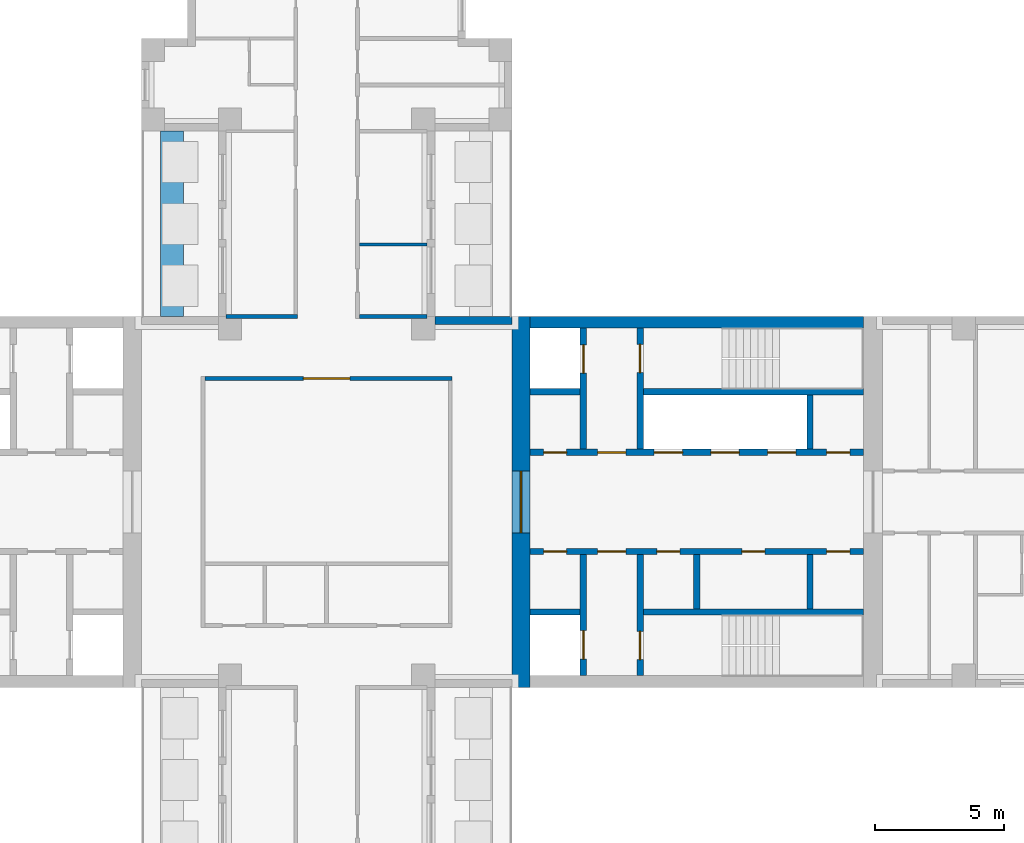
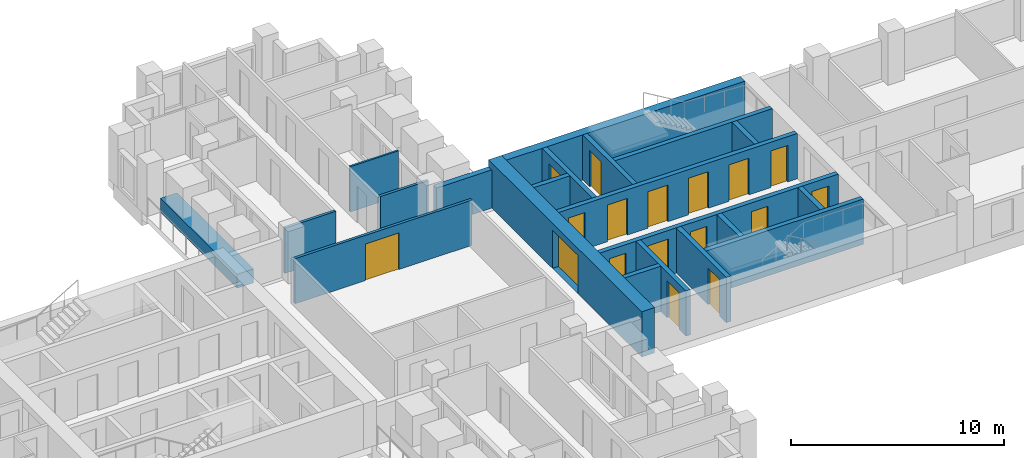
# One storey, part 6 of 11: 21 walls, 17 doors, 17 openings.
"""IFC4 building model written with IfcOpenShell, lengths in metres."""

from ifc_helpers import new_model, si_unit, direction, frame, frame_2d, origin, place, context, subcontext, project, spatial, rectangle, extrude, material, layer, layer_set, type_object, element, fill, save


model = new_model("IFC4")

# Units and contexts
model_context = context("Model", 3, precision=1e-05, world=origin(), true_north=direction((0.0, 1.0)))
body_context = subcontext(model_context, "Body", "Model", "MODEL_VIEW")
ifc_project = project(units=[si_unit("LENGTHUNIT", "METRE"), si_unit("AREAUNIT", "SQUARE_METRE"), si_unit("VOLUMEUNIT", "CUBIC_METRE"), si_unit("PLANEANGLEUNIT", "RADIAN"), si_unit("MASSUNIT", "GRAM", prefix="KILO")], contexts=[model_context])

# Site, building, storey
site_placement = place(None, origin())
site = spatial("IfcSite", under=ifc_project, at=site_placement, CompositionType="ELEMENT")
building_placement = place(site_placement, origin())
building = spatial("IfcBuilding", under=site, at=building_placement, Name="Fustian Cross Tower", CompositionType="ELEMENT")
storey_placement = place(building_placement, frame((0.0, 0.0, 126.300048828125)))
storey = spatial("IfcBuildingStorey", under=building, at=storey_placement, Name="L39", CompositionType="ELEMENT", Elevation=126.300048828125)

# Wall, opening, door
ifc_material_1 = material(Name="Plasterboard on steel stud", Category="steel")
ifc_layer_1 = layer(ifc_material_1, 0.14990234375)
ifc_layer_set_1 = layer_set([ifc_layer_1], Name="Plasterboard on steel stud")
wall_type_1 = type_object("IfcWallType", Name="COMPARTMENT WALL 150 EI 60", PredefinedType="PARTITIONING", material=ifc_layer_set_1)
wall_1_placement = place(storey_placement, frame((-4.72509765625, 4.800048828125, 0.0), z_axis=(0.0, 0.0, 1.0), x_axis=(1.0, 0.0, 0.0)))
wall_1 = element("IfcWall", 1, at=wall_1_placement, inside=storey, type_object=wall_type_1, Name="Partition 20", PredefinedType="PARTITIONING", context=body_context, shape_type="SweptSolid", body=[
    extrude(rectangle(XDim=9.60009765625, YDim=0.14990234375, at=frame_2d((4.800048828125, 0.0))), origin(), (0.0, 0.0, 1.0), 2.599853515625),
])
opening_1_placement = place(wall_1_placement, frame((3.824951171875, 0.0, 0.0)))
opening_1 = element("IfcOpeningElement", 2, at=opening_1_placement, cuts=wall_1, Name="Opening D18004", PredefinedType="OPENING", context=body_context, shape_type="SweptSolid", body=[
    extrude(rectangle(XDim=1.800048828125, YDim=2.10009765625, at=frame_2d((0.89990234375, 1.050048828125))), frame((0.0, 0.0849609375, 0.0), z_axis=(0.0, -1.0, 0.0), x_axis=(1.0, 0.0, 0.0)), (0.0, 0.0, 1.0), 0.169921875),
])
ifc_material_2 = material(Name="Timber fire door set", Category="wood")
door_type_1 = type_object("IfcDoorType", Name="FIRE DOUBLE DOOR 1800 FD30S", OperationType="DOUBLE_DOOR_DOUBLE_SWING", PredefinedType="DOOR", material=ifc_material_2)
door_1_placement = place(opening_1_placement, origin())
door_1 = element("IfcDoor", 3, at=door_1_placement, inside=storey, type_object=door_type_1, Name="Door D18004", OperationType="DOUBLE_DOOR_DOUBLE_SWING", OverallHeight=2.10009765625, OverallWidth=1.800048828125, PredefinedType="DOOR", context=body_context, shape_type="SweptSolid", body=[
    extrude(rectangle(XDim=1.800048828125, YDim=2.10009765625, at=frame_2d((0.89990234375, 1.050048828125))), frame((0.0, 0.02490234375, 0.0), z_axis=(0.0, -1.0, 0.0), x_axis=(1.0, 0.0, 0.0)), (0.0, 0.0, 1.0), 0.050048828125),
])
fill(opening_1, door_1)

# Walls
wall_2_placement = place(storey_placement, frame((-3.89990234375, 7.199951171875, 0.0), z_axis=(0.0, 0.0, 1.0), x_axis=(1.0, 0.0, 0.0)))
element("IfcWall", 4, at=wall_2_placement, inside=storey, type_object=wall_type_1, Name="Partition 23", PredefinedType="PARTITIONING", context=body_context, shape_type="SweptSolid", body=[
    extrude(rectangle(XDim=2.77490234375, YDim=0.14990234375, at=frame_2d((1.387451171875, 0.0))), origin(), (0.0, 0.0, 1.0), 2.599853515625),
])
wall_3_placement = place(storey_placement, frame((1.27490234375, 7.199951171875, 0.0), z_axis=(0.0, 0.0, 1.0), x_axis=(1.0, 0.0, 0.0)))
element("IfcWall", 5, at=wall_3_placement, inside=storey, type_object=wall_type_1, Name="Partition 43", PredefinedType="PARTITIONING", context=body_context, shape_type="SweptSolid", body=[
    extrude(rectangle(XDim=2.625, YDim=0.14990234375, at=frame_2d((1.3125, 0.0))), origin(), (0.0, 0.0, 1.0), 2.599853515625),
])

# Wall, opening, door
ifc_material_3 = material(Name="Concrete C60/75", Category="concrete")
ifc_layer_2 = layer(ifc_material_3, 0.699951171875)
ifc_layer_set_2 = layer_set([ifc_layer_2], Name="Concrete C60/75")
wall_type_2 = type_object("IfcWallType", Name="CORE END WALL 700 C60/75", PredefinedType="SHEAR", material=ifc_layer_set_2)
wall_4_placement = place(storey_placement, frame((7.550048828125, -7.199951171875, 0.0), z_axis=(0.0, 0.0, 1.0), x_axis=(0.0, 1.0, 0.0)))
wall_4 = element("IfcWall", 6, at=wall_4_placement, inside=storey, type_object=wall_type_2, Name="Core end wall", PredefinedType="SHEAR", context=body_context, shape_type="SweptSolid", body=[
    extrude(rectangle(XDim=14.39990234375, YDim=0.699951171875, at=frame_2d((7.199951171875, 0.0))), origin(), (0.0, 0.0, 1.0), 2.599853515625),
])
opening_2_placement = place(wall_4_placement, frame((6.0, 0.0, 0.0)))
opening_2 = element("IfcOpeningElement", 7, at=opening_2_placement, cuts=wall_4, Name="Opening CD-16-12", PredefinedType="OPENING", context=body_context, shape_type="SweptSolid", body=[
    extrude(rectangle(XDim=2.39990234375, YDim=2.199951171875, at=frame_2d((1.199951171875, 1.10009765625))), frame((0.0, 0.35986328125, 0.0), z_axis=(0.0, -1.0, 0.0), x_axis=(1.0, 0.0, 0.0)), (0.0, 0.0, 1.0), 0.719970703125),
])
ifc_material_4 = material(Name="Steel", Category="steel")
door_type_2 = type_object("IfcDoorType", Name="FIRE DOOR FD30S DOUBLE 2400X2200", OperationType="DOUBLE_DOOR_DOUBLE_SWING", PredefinedType="DOOR", material=ifc_material_4)
door_2_placement = place(opening_2_placement, origin())
door_2 = element("IfcDoor", 8, at=door_2_placement, inside=storey, type_object=door_type_2, Name="Core door CD-16-12", OperationType="DOUBLE_DOOR_DOUBLE_SWING", OverallHeight=2.199951171875, OverallWidth=2.39990234375, PredefinedType="DOOR", context=body_context, shape_type="SweptSolid", body=[
    extrude(rectangle(XDim=2.39990234375, YDim=2.199951171875, at=frame_2d((1.199951171875, 1.10009765625))), frame((0.0, 0.02490234375, 0.0), z_axis=(0.0, -1.0, 0.0), x_axis=(1.0, 0.0, 0.0)), (0.0, 0.0, 1.0), 0.050048828125),
])
fill(opening_2, door_2)

# Wall
ifc_material_5 = material(Name="Concrete C60/75", Category="concrete")
ifc_layer_3 = layer(ifc_material_5, 0.449951171875)
ifc_layer_set_3 = layer_set([ifc_layer_3], Name="Concrete C60/75")
wall_type_3 = type_object("IfcWallType", Name="CORE FACADE WALL 450 C60/75", PredefinedType="SHEAR", material=ifc_layer_set_3)
wall_5_placement = place(storey_placement, frame((7.89990234375, 6.97509765625, 0.0), z_axis=(0.0, 0.0, 1.0), x_axis=(1.0, 0.0, 0.0)))
element("IfcWall", 9, at=wall_5_placement, inside=storey, type_object=wall_type_3, Name="Core facade wall", PredefinedType="SHEAR", context=body_context, shape_type="SweptSolid", body=[
    extrude(rectangle(XDim=12.9501953125, YDim=0.449951171875, at=frame_2d((6.47509765625, 0.0))), origin(), (0.0, 0.0, 1.0), 2.599853515625),
])

# Wall, openings, doors
ifc_material_6 = material(Name="Concrete C50/60", Category="concrete")
ifc_layer_4 = layer(ifc_material_6, 0.25)
ifc_layer_set_4 = layer_set([ifc_layer_4], Name="Concrete C50/60")
wall_type_4 = type_object("IfcWallType", Name="CORE LOBBY WALL 250 C50/60", PredefinedType="SHEAR", material=ifc_layer_set_4)
wall_6_placement = place(storey_placement, frame((7.89990234375, 1.925048828125, 0.0), z_axis=(0.0, 0.0, 1.0), x_axis=(1.0, 0.0, 0.0)))
wall_6 = element("IfcWall", 10, at=wall_6_placement, inside=storey, type_object=wall_type_4, Name="Core lobby wall", PredefinedType="SHEAR", context=body_context, shape_type="SweptSolid", body=[
    extrude(rectangle(XDim=12.9501953125, YDim=0.25, at=frame_2d((6.47509765625, 0.0))), origin(), (0.0, 0.0, 1.0), 2.599853515625),
])
opening_3_placement = place(wall_6_placement, frame((4.824951171875, 0.0, 0.0)))
opening_3 = element("IfcOpeningElement", 11, at=opening_3_placement, cuts=wall_6, Name="Opening LD", PredefinedType="OPENING", context=body_context, shape_type="SweptSolid", body=[
    extrude(rectangle(XDim=1.10009765625, YDim=2.10009765625, at=frame_2d((0.550048828125, 1.050048828125))), frame((0.0, 0.135009765625, 0.0), z_axis=(0.0, -1.0, 0.0), x_axis=(1.0, 0.0, 0.0)), (0.0, 0.0, 1.0), 0.27001953125),
])
opening_4_placement = place(wall_6_placement, frame((7.02490234375, 0.0, 0.0)))
opening_4 = element("IfcOpeningElement", 12, at=opening_4_placement, cuts=wall_6, Name="Opening LD", PredefinedType="OPENING", context=body_context, shape_type="SweptSolid", body=[
    extrude(rectangle(XDim=1.10009765625, YDim=2.10009765625, at=frame_2d((0.550048828125, 1.050048828125))), frame((0.0, 0.135009765625, 0.0), z_axis=(0.0, -1.0, 0.0), x_axis=(1.0, 0.0, 0.0)), (0.0, 0.0, 1.0), 0.27001953125),
])
opening_5_placement = place(wall_6_placement, frame((9.22509765625, 0.0, 0.0)))
opening_5 = element("IfcOpeningElement", 13, at=opening_5_placement, cuts=wall_6, Name="Opening LD", PredefinedType="OPENING", context=body_context, shape_type="SweptSolid", body=[
    extrude(rectangle(XDim=1.10009765625, YDim=2.10009765625, at=frame_2d((0.550048828125, 1.050048828125))), frame((0.0, 0.135009765625, 0.0), z_axis=(0.0, -1.0, 0.0), x_axis=(1.0, 0.0, 0.0)), (0.0, 0.0, 1.0), 0.27001953125),
])
opening_6_placement = place(wall_6_placement, frame((0.52490234375, 0.0, 0.0)))
opening_6 = element("IfcOpeningElement", 14, at=opening_6_placement, cuts=wall_6, Name="Opening CD-16-08", PredefinedType="OPENING", context=body_context, shape_type="SweptSolid", body=[
    extrude(rectangle(XDim=0.89990234375, YDim=2.10009765625, at=frame_2d((0.449951171875, 1.050048828125))), frame((0.0, 0.135009765625, 0.0), z_axis=(0.0, -1.0, 0.0), x_axis=(1.0, 0.0, 0.0)), (0.0, 0.0, 1.0), 0.27001953125),
])
opening_7_placement = place(wall_6_placement, frame((2.625, 0.0, 0.0)))
opening_7 = element("IfcOpeningElement", 15, at=opening_7_placement, cuts=wall_6, Name="Opening CD-16-10", PredefinedType="OPENING", context=body_context, shape_type="SweptSolid", body=[
    extrude(rectangle(XDim=1.10009765625, YDim=2.10009765625, at=frame_2d((0.550048828125, 1.050048828125))), frame((0.0, 0.135009765625, 0.0), z_axis=(0.0, -1.0, 0.0), x_axis=(1.0, 0.0, 0.0)), (0.0, 0.0, 1.0), 0.27001953125),
])
opening_8_placement = place(wall_6_placement, frame((11.52490234375, 0.0, 0.0)))
opening_8 = element("IfcOpeningElement", 16, at=opening_8_placement, cuts=wall_6, Name="Opening CD-16-14", PredefinedType="OPENING", context=body_context, shape_type="SweptSolid", body=[
    extrude(rectangle(XDim=0.89990234375, YDim=2.10009765625, at=frame_2d((0.449951171875, 1.050048828125))), frame((0.0, 0.135009765625, 0.0), z_axis=(0.0, -1.0, 0.0), x_axis=(1.0, 0.0, 0.0)), (0.0, 0.0, 1.0), 0.27001953125),
])
ifc_material_7 = material(Name="Steel", Category="steel")
door_type_3 = type_object("IfcDoorType", Name="FIRE DOOR FD30S 900X2100", OperationType="SINGLE_SWING_LEFT", PredefinedType="DOOR", material=ifc_material_7)
door_3_placement = place(opening_8_placement, origin())
door_3 = element("IfcDoor", 17, at=door_3_placement, inside=storey, type_object=door_type_3, Name="Core door CD-16-14", OperationType="SINGLE_SWING_LEFT", OverallHeight=2.10009765625, OverallWidth=0.89990234375, PredefinedType="DOOR", context=body_context, shape_type="SweptSolid", body=[
    extrude(rectangle(XDim=0.89990234375, YDim=2.10009765625, at=frame_2d((0.449951171875, 1.050048828125))), frame((0.0, 0.02490234375, 0.0), z_axis=(0.0, -1.0, 0.0), x_axis=(1.0, 0.0, 0.0)), (0.0, 0.0, 1.0), 0.050048828125),
])
fill(opening_8, door_3)
ifc_material_8 = material(Name="Steel", Category="steel")
door_type_4 = type_object("IfcDoorType", Name="FIRE DOOR FD60S 1100X2100", OperationType="SINGLE_SWING_LEFT", PredefinedType="DOOR", material=ifc_material_8)
door_4_placement = place(opening_7_placement, frame((1.10009765625, 0.0, 0.0), z_axis=(0.0, 0.0, 1.0), x_axis=(-1.0, 0.0, 0.0)))
door_4 = element("IfcDoor", 18, at=door_4_placement, inside=storey, type_object=door_type_4, Name="Core door CD-16-10", OperationType="SINGLE_SWING_RIGHT", OverallHeight=2.10009765625, OverallWidth=1.10009765625, PredefinedType="DOOR", context=body_context, shape_type="SweptSolid", body=[
    extrude(rectangle(XDim=1.10009765625, YDim=2.10009765625, at=frame_2d((0.550048828125, 1.050048828125))), frame((0.0, 0.02490234375, 0.0), z_axis=(0.0, -1.0, 0.0), x_axis=(1.0, 0.0, 0.0)), (0.0, 0.0, 1.0), 0.050048828125),
])
fill(opening_7, door_4)
ifc_material_9 = material(Name="Steel", Category="steel")
door_type_5 = type_object("IfcDoorType", Name="FIRE DOOR FD60S 900X2100", OperationType="SINGLE_SWING_LEFT", PredefinedType="DOOR", material=ifc_material_9)
door_5_placement = place(opening_6_placement, origin())
door_5 = element("IfcDoor", 19, at=door_5_placement, inside=storey, type_object=door_type_5, Name="Core door CD-16-08", OperationType="SINGLE_SWING_LEFT", OverallHeight=2.10009765625, OverallWidth=0.89990234375, PredefinedType="DOOR", context=body_context, shape_type="SweptSolid", body=[
    extrude(rectangle(XDim=0.89990234375, YDim=2.10009765625, at=frame_2d((0.449951171875, 1.050048828125))), frame((0.0, 0.02490234375, 0.0), z_axis=(0.0, -1.0, 0.0), x_axis=(1.0, 0.0, 0.0)), (0.0, 0.0, 1.0), 0.050048828125),
])
fill(opening_6, door_5)
ifc_material_10 = material(Name="Stainless steel", Category="steel")
door_type_6 = type_object("IfcDoorType", Name="LIFT LANDING DOOR 1100X2100", OperationType="SLIDING_TO_LEFT", PredefinedType="DOOR", material=ifc_material_10)
door_6_placement = place(opening_3_placement, origin())
door_6 = element("IfcDoor", 20, at=door_6_placement, inside=storey, type_object=door_type_6, Name="Landing door HR1", OperationType="SLIDING_TO_LEFT", OverallHeight=2.10009765625, OverallWidth=1.10009765625, PredefinedType="DOOR", context=body_context, shape_type="SweptSolid", body=[
    extrude(rectangle(XDim=1.10009765625, YDim=2.10009765625, at=frame_2d((0.550048828125, 1.050048828125))), frame((0.0, 0.02490234375, 0.0), z_axis=(0.0, -1.0, 0.0), x_axis=(1.0, 0.0, 0.0)), (0.0, 0.0, 1.0), 0.050048828125),
])
fill(opening_3, door_6)
door_7_placement = place(opening_4_placement, origin())
door_7 = element("IfcDoor", 21, at=door_7_placement, inside=storey, type_object=door_type_6, Name="Landing door HR2", OperationType="SLIDING_TO_LEFT", OverallHeight=2.10009765625, OverallWidth=1.10009765625, PredefinedType="DOOR", context=body_context, shape_type="SweptSolid", body=[
    extrude(rectangle(XDim=1.10009765625, YDim=2.10009765625, at=frame_2d((0.550048828125, 1.050048828125))), frame((0.0, 0.02490234375, 0.0), z_axis=(0.0, -1.0, 0.0), x_axis=(1.0, 0.0, 0.0)), (0.0, 0.0, 1.0), 0.050048828125),
])
fill(opening_4, door_7)
door_8_placement = place(opening_5_placement, origin())
door_8 = element("IfcDoor", 22, at=door_8_placement, inside=storey, type_object=door_type_6, Name="Landing door HR3", OperationType="SLIDING_TO_LEFT", OverallHeight=2.10009765625, OverallWidth=1.10009765625, PredefinedType="DOOR", context=body_context, shape_type="SweptSolid", body=[
    extrude(rectangle(XDim=1.10009765625, YDim=2.10009765625, at=frame_2d((0.550048828125, 1.050048828125))), frame((0.0, 0.02490234375, 0.0), z_axis=(0.0, -1.0, 0.0), x_axis=(1.0, 0.0, 0.0)), (0.0, 0.0, 1.0), 0.050048828125),
])
fill(opening_5, door_8)

wall_7_placement = place(storey_placement, frame((7.89990234375, -1.925048828125, 0.0), z_axis=(0.0, 0.0, 1.0), x_axis=(1.0, 0.0, 0.0)))
wall_7 = element("IfcWall", 23, at=wall_7_placement, inside=storey, type_object=wall_type_4, Name="Core lobby wall", PredefinedType="SHEAR", context=body_context, shape_type="SweptSolid", body=[
    extrude(rectangle(XDim=12.9501953125, YDim=0.25, at=frame_2d((6.47509765625, 0.0))), origin(), (0.0, 0.0, 1.0), 2.599853515625),
])
opening_9_placement = place(wall_7_placement, frame((0.52490234375, 0.0, 0.0)))
opening_9 = element("IfcOpeningElement", 24, at=opening_9_placement, cuts=wall_7, Name="Opening CD-16-09", PredefinedType="OPENING", context=body_context, shape_type="SweptSolid", body=[
    extrude(rectangle(XDim=0.89990234375, YDim=2.10009765625, at=frame_2d((0.449951171875, 1.050048828125))), frame((0.0, 0.135009765625, 0.0), z_axis=(0.0, -1.0, 0.0), x_axis=(1.0, 0.0, 0.0)), (0.0, 0.0, 1.0), 0.27001953125),
])
opening_10_placement = place(wall_7_placement, frame((2.625, 0.0, 0.0)))
opening_10 = element("IfcOpeningElement", 25, at=opening_10_placement, cuts=wall_7, Name="Opening CD-16-11", PredefinedType="OPENING", context=body_context, shape_type="SweptSolid", body=[
    extrude(rectangle(XDim=1.10009765625, YDim=2.10009765625, at=frame_2d((0.550048828125, 1.050048828125))), frame((0.0, 0.135009765625, 0.0), z_axis=(0.0, -1.0, 0.0), x_axis=(1.0, 0.0, 0.0)), (0.0, 0.0, 1.0), 0.27001953125),
])
opening_11_placement = place(wall_7_placement, frame((4.925048828125, 0.0, 0.0)))
opening_11 = element("IfcOpeningElement", 26, at=opening_11_placement, cuts=wall_7, Name="Opening CD-16-15", PredefinedType="OPENING", context=body_context, shape_type="SweptSolid", body=[
    extrude(rectangle(XDim=0.89990234375, YDim=2.10009765625, at=frame_2d((0.449951171875, 1.050048828125))), frame((0.0, 0.135009765625, 0.0), z_axis=(0.0, -1.0, 0.0), x_axis=(1.0, 0.0, 0.0)), (0.0, 0.0, 1.0), 0.27001953125),
])
opening_12_placement = place(wall_7_placement, frame((8.22509765625, 0.0, 0.0)))
opening_12 = element("IfcOpeningElement", 27, at=opening_12_placement, cuts=wall_7, Name="Opening CD-16-16", PredefinedType="OPENING", context=body_context, shape_type="SweptSolid", body=[
    extrude(rectangle(XDim=0.89990234375, YDim=2.10009765625, at=frame_2d((0.449951171875, 1.050048828125))), frame((0.0, 0.135009765625, 0.0), z_axis=(0.0, -1.0, 0.0), x_axis=(1.0, 0.0, 0.0)), (0.0, 0.0, 1.0), 0.27001953125),
])
opening_13_placement = place(wall_7_placement, frame((11.52490234375, 0.0, 0.0)))
opening_13 = element("IfcOpeningElement", 28, at=opening_13_placement, cuts=wall_7, Name="Opening CD-16-17", PredefinedType="OPENING", context=body_context, shape_type="SweptSolid", body=[
    extrude(rectangle(XDim=0.89990234375, YDim=2.10009765625, at=frame_2d((0.449951171875, 1.050048828125))), frame((0.0, 0.135009765625, 0.0), z_axis=(0.0, -1.0, 0.0), x_axis=(1.0, 0.0, 0.0)), (0.0, 0.0, 1.0), 0.27001953125),
])
ifc_material_11 = material(Name="Steel", Category="steel")
door_type_7 = type_object("IfcDoorType", Name="FIRE DOOR FD30S 1100X2100", OperationType="SINGLE_SWING_LEFT", PredefinedType="DOOR", material=ifc_material_11)
door_9_placement = place(opening_10_placement, frame((1.10009765625, 0.0, 0.0), z_axis=(0.0, 0.0, 1.0), x_axis=(-1.0, 0.0, 0.0)))
door_9 = element("IfcDoor", 29, at=door_9_placement, inside=storey, type_object=door_type_7, Name="Core door CD-16-11", OperationType="SINGLE_SWING_RIGHT", OverallHeight=2.10009765625, OverallWidth=1.10009765625, PredefinedType="DOOR", context=body_context, shape_type="SweptSolid", body=[
    extrude(rectangle(XDim=1.10009765625, YDim=2.10009765625, at=frame_2d((0.550048828125, 1.050048828125))), frame((0.0, 0.02490234375, 0.0), z_axis=(0.0, -1.0, 0.0), x_axis=(1.0, 0.0, 0.0)), (0.0, 0.0, 1.0), 0.050048828125),
])
fill(opening_10, door_9)
door_10_placement = place(opening_9_placement, frame((0.89990234375, 0.0, 0.0), z_axis=(0.0, 0.0, 1.0), x_axis=(-1.0, 0.0, 0.0)))
door_10 = element("IfcDoor", 30, at=door_10_placement, inside=storey, type_object=door_type_3, Name="Core door CD-16-09", OperationType="SINGLE_SWING_RIGHT", OverallHeight=2.10009765625, OverallWidth=0.89990234375, PredefinedType="DOOR", context=body_context, shape_type="SweptSolid", body=[
    extrude(rectangle(XDim=0.89990234375, YDim=2.10009765625, at=frame_2d((0.449951171875, 1.050048828125))), frame((0.0, 0.02490234375, 0.0), z_axis=(0.0, -1.0, 0.0), x_axis=(1.0, 0.0, 0.0)), (0.0, 0.0, 1.0), 0.050048828125),
])
fill(opening_9, door_10)
door_11_placement = place(opening_11_placement, frame((0.89990234375, 0.0, 0.0), z_axis=(0.0, 0.0, 1.0), x_axis=(-1.0, 0.0, 0.0)))
door_11 = element("IfcDoor", 31, at=door_11_placement, inside=storey, type_object=door_type_3, Name="Core door CD-16-15", OperationType="SINGLE_SWING_RIGHT", OverallHeight=2.10009765625, OverallWidth=0.89990234375, PredefinedType="DOOR", context=body_context, shape_type="SweptSolid", body=[
    extrude(rectangle(XDim=0.89990234375, YDim=2.10009765625, at=frame_2d((0.449951171875, 1.050048828125))), frame((0.0, 0.02490234375, 0.0), z_axis=(0.0, -1.0, 0.0), x_axis=(1.0, 0.0, 0.0)), (0.0, 0.0, 1.0), 0.050048828125),
])
fill(opening_11, door_11)
door_12_placement = place(opening_12_placement, frame((0.89990234375, 0.0, 0.0), z_axis=(0.0, 0.0, 1.0), x_axis=(-1.0, 0.0, 0.0)))
door_12 = element("IfcDoor", 32, at=door_12_placement, inside=storey, type_object=door_type_3, Name="Core door CD-16-16", OperationType="SINGLE_SWING_LEFT", OverallHeight=2.10009765625, OverallWidth=0.89990234375, PredefinedType="DOOR", context=body_context, shape_type="SweptSolid", body=[
    extrude(rectangle(XDim=0.89990234375, YDim=2.10009765625, at=frame_2d((0.449951171875, 1.050048828125))), frame((0.0, 0.02490234375, 0.0), z_axis=(0.0, -1.0, 0.0), x_axis=(1.0, 0.0, 0.0)), (0.0, 0.0, 1.0), 0.050048828125),
])
fill(opening_12, door_12)
door_13_placement = place(opening_13_placement, frame((0.89990234375, 0.0, 0.0), z_axis=(0.0, 0.0, 1.0), x_axis=(-1.0, 0.0, 0.0)))
door_13 = element("IfcDoor", 33, at=door_13_placement, inside=storey, type_object=door_type_3, Name="Core door CD-16-17", OperationType="SINGLE_SWING_RIGHT", OverallHeight=2.10009765625, OverallWidth=0.89990234375, PredefinedType="DOOR", context=body_context, shape_type="SweptSolid", body=[
    extrude(rectangle(XDim=0.89990234375, YDim=2.10009765625, at=frame_2d((0.449951171875, 1.050048828125))), frame((0.0, 0.02490234375, 0.0), z_axis=(0.0, -1.0, 0.0), x_axis=(1.0, 0.0, 0.0)), (0.0, 0.0, 1.0), 0.050048828125),
])
fill(opening_13, door_13)

# Walls
ifc_material_12 = material(Name="Concrete C50/60", Category="concrete")
ifc_layer_5 = layer(ifc_material_12, 0.25)
ifc_layer_set_5 = layer_set([ifc_layer_5], Name="Concrete C50/60")
wall_type_5 = type_object("IfcWallType", Name="CORE SHAFT WALL 250 C50/60", PredefinedType="SHEAR", material=ifc_layer_set_5)
wall_8_placement = place(storey_placement, frame((7.89990234375, 4.27490234375, 0.0), z_axis=(0.0, 0.0, 1.0), x_axis=(1.0, 0.0, 0.0)))
element("IfcWall", 34, at=wall_8_placement, inside=storey, type_object=wall_type_5, Name="Core shaft wall", PredefinedType="SHEAR", context=body_context, shape_type="SweptSolid", body=[
    extrude(rectangle(XDim=1.9501953125, YDim=0.25, at=frame_2d((0.97509765625, 0.0))), origin(), (0.0, 0.0, 1.0), 2.599853515625),
])
wall_9_placement = place(storey_placement, frame((12.300048828125, 4.27490234375, 0.0), z_axis=(0.0, 0.0, 1.0), x_axis=(1.0, 0.0, 0.0)))
element("IfcWall", 35, at=wall_9_placement, inside=storey, type_object=wall_type_5, Name="Core shaft wall", PredefinedType="SHEAR", context=body_context, shape_type="SweptSolid", body=[
    extrude(rectangle(XDim=8.550048828125, YDim=0.25, at=frame_2d((4.27490234375, 0.0))), origin(), (0.0, 0.0, 1.0), 2.599853515625),
])

# Wall, opening, door
wall_10_placement = place(storey_placement, frame((9.97509765625, 2.050048828125, 0.0), z_axis=(0.0, 0.0, 1.0), x_axis=(0.0, 1.0, 0.0)))
wall_10 = element("IfcWall", 36, at=wall_10_placement, inside=storey, type_object=wall_type_5, Name="Core shaft wall", PredefinedType="SHEAR", context=body_context, shape_type="SweptSolid", body=[
    extrude(rectangle(XDim=4.699951171875, YDim=0.25, at=frame_2d((2.35009765625, 0.0))), origin(), (0.0, 0.0, 1.0), 2.599853515625),
])
opening_14_placement = place(wall_10_placement, frame((2.949951171875, 0.0, 0.0)))
opening_14 = element("IfcOpeningElement", 37, at=opening_14_placement, cuts=wall_10, Name="Opening LD", PredefinedType="OPENING", context=body_context, shape_type="SweptSolid", body=[
    extrude(rectangle(XDim=1.10009765625, YDim=2.10009765625, at=frame_2d((0.550048828125, 1.050048828125))), frame((0.0, 0.135009765625, 0.0), z_axis=(0.0, -1.0, 0.0), x_axis=(1.0, 0.0, 0.0)), (0.0, 0.0, 1.0), 0.27001953125),
])
door_14_placement = place(opening_14_placement, origin())
door_14 = element("IfcDoor", 38, at=door_14_placement, inside=storey, type_object=door_type_6, Name="Landing door FL1", OperationType="SLIDING_TO_LEFT", OverallHeight=2.10009765625, OverallWidth=1.10009765625, PredefinedType="DOOR", context=body_context, shape_type="SweptSolid", body=[
    extrude(rectangle(XDim=1.10009765625, YDim=2.10009765625, at=frame_2d((0.550048828125, 1.050048828125))), frame((0.0, 0.02490234375, 0.0), z_axis=(0.0, -1.0, 0.0), x_axis=(1.0, 0.0, 0.0)), (0.0, 0.0, 1.0), 0.050048828125),
])
fill(opening_14, door_14)

wall_11_placement = place(storey_placement, frame((12.175048828125, 2.050048828125, 0.0), z_axis=(0.0, 0.0, 1.0), x_axis=(0.0, 1.0, 0.0)))
wall_11 = element("IfcWall", 39, at=wall_11_placement, inside=storey, type_object=wall_type_5, Name="Core shaft wall", PredefinedType="SHEAR", context=body_context, shape_type="SweptSolid", body=[
    extrude(rectangle(XDim=4.699951171875, YDim=0.25, at=frame_2d((2.35009765625, 0.0))), origin(), (0.0, 0.0, 1.0), 2.599853515625),
])
opening_15_placement = place(wall_11_placement, frame((2.97509765625, 0.0, 0.0)))
opening_15 = element("IfcOpeningElement", 40, at=opening_15_placement, cuts=wall_11, Name="Opening CD-16-06", PredefinedType="OPENING", context=body_context, shape_type="SweptSolid", body=[
    extrude(rectangle(XDim=1.10009765625, YDim=2.10009765625, at=frame_2d((0.550048828125, 1.050048828125))), frame((0.0, 0.135009765625, 0.0), z_axis=(0.0, -1.0, 0.0), x_axis=(1.0, 0.0, 0.0)), (0.0, 0.0, 1.0), 0.27001953125),
])
door_15_placement = place(opening_15_placement, frame((1.10009765625, 0.0, 0.0), z_axis=(0.0, 0.0, 1.0), x_axis=(-1.0, 0.0, 0.0)))
door_15 = element("IfcDoor", 41, at=door_15_placement, inside=storey, type_object=door_type_4, Name="Core door CD-16-06", OperationType="SINGLE_SWING_RIGHT", OverallHeight=2.10009765625, OverallWidth=1.10009765625, PredefinedType="DOOR", context=body_context, shape_type="SweptSolid", body=[
    extrude(rectangle(XDim=1.10009765625, YDim=2.10009765625, at=frame_2d((0.550048828125, 1.050048828125))), frame((0.0, 0.02490234375, 0.0), z_axis=(0.0, -1.0, 0.0), x_axis=(1.0, 0.0, 0.0)), (0.0, 0.0, 1.0), 0.050048828125),
])
fill(opening_15, door_15)

# Walls
wall_12_placement = place(storey_placement, frame((7.89990234375, -4.27490234375, 0.0), z_axis=(0.0, 0.0, 1.0), x_axis=(1.0, 0.0, 0.0)))
element("IfcWall", 42, at=wall_12_placement, inside=storey, type_object=wall_type_5, Name="Core shaft wall", PredefinedType="SHEAR", context=body_context, shape_type="SweptSolid", body=[
    extrude(rectangle(XDim=1.9501953125, YDim=0.25, at=frame_2d((0.97509765625, 0.0))), origin(), (0.0, 0.0, 1.0), 2.599853515625),
])
wall_13_placement = place(storey_placement, frame((12.300048828125, -4.27490234375, 0.0), z_axis=(0.0, 0.0, 1.0), x_axis=(1.0, 0.0, 0.0)))
element("IfcWall", 43, at=wall_13_placement, inside=storey, type_object=wall_type_5, Name="Core shaft wall", PredefinedType="SHEAR", context=body_context, shape_type="SweptSolid", body=[
    extrude(rectangle(XDim=8.550048828125, YDim=0.25, at=frame_2d((4.27490234375, 0.0))), origin(), (0.0, 0.0, 1.0), 2.599853515625),
])

# Wall, opening, door
wall_14_placement = place(storey_placement, frame((9.97509765625, -2.050048828125, 0.0), z_axis=(0.0, 0.0, 1.0), x_axis=(0.0, -1.0, 0.0)))
wall_14 = element("IfcWall", 44, at=wall_14_placement, inside=storey, type_object=wall_type_5, Name="Core shaft wall", PredefinedType="SHEAR", context=body_context, shape_type="SweptSolid", body=[
    extrude(rectangle(XDim=4.699951171875, YDim=0.25, at=frame_2d((2.35009765625, 0.0))), origin(), (0.0, 0.0, 1.0), 2.599853515625),
])
opening_16_placement = place(wall_14_placement, frame((2.949951171875, 0.0, 0.0)))
opening_16 = element("IfcOpeningElement", 45, at=opening_16_placement, cuts=wall_14, Name="Opening LD", PredefinedType="OPENING", context=body_context, shape_type="SweptSolid", body=[
    extrude(rectangle(XDim=1.10009765625, YDim=2.10009765625, at=frame_2d((0.550048828125, 1.050048828125))), frame((0.0, 0.135009765625, 0.0), z_axis=(0.0, -1.0, 0.0), x_axis=(1.0, 0.0, 0.0)), (0.0, 0.0, 1.0), 0.27001953125),
])
door_16_placement = place(opening_16_placement, origin())
door_16 = element("IfcDoor", 46, at=door_16_placement, inside=storey, type_object=door_type_6, Name="Landing door SV1", OperationType="SLIDING_TO_LEFT", OverallHeight=2.10009765625, OverallWidth=1.10009765625, PredefinedType="DOOR", context=body_context, shape_type="SweptSolid", body=[
    extrude(rectangle(XDim=1.10009765625, YDim=2.10009765625, at=frame_2d((0.550048828125, 1.050048828125))), frame((0.0, 0.02490234375, 0.0), z_axis=(0.0, -1.0, 0.0), x_axis=(1.0, 0.0, 0.0)), (0.0, 0.0, 1.0), 0.050048828125),
])
fill(opening_16, door_16)

wall_15_placement = place(storey_placement, frame((12.175048828125, -2.050048828125, 0.0), z_axis=(0.0, 0.0, 1.0), x_axis=(0.0, -1.0, 0.0)))
wall_15 = element("IfcWall", 47, at=wall_15_placement, inside=storey, type_object=wall_type_5, Name="Core shaft wall", PredefinedType="SHEAR", context=body_context, shape_type="SweptSolid", body=[
    extrude(rectangle(XDim=4.699951171875, YDim=0.25, at=frame_2d((2.35009765625, 0.0))), origin(), (0.0, 0.0, 1.0), 2.599853515625),
])
opening_17_placement = place(wall_15_placement, frame((2.97509765625, 0.0, 0.0)))
opening_17 = element("IfcOpeningElement", 48, at=opening_17_placement, cuts=wall_15, Name="Opening CD-16-07", PredefinedType="OPENING", context=body_context, shape_type="SweptSolid", body=[
    extrude(rectangle(XDim=1.10009765625, YDim=2.10009765625, at=frame_2d((0.550048828125, 1.050048828125))), frame((0.0, 0.135009765625, 0.0), z_axis=(0.0, -1.0, 0.0), x_axis=(1.0, 0.0, 0.0)), (0.0, 0.0, 1.0), 0.27001953125),
])
door_17_placement = place(opening_17_placement, origin())
door_17 = element("IfcDoor", 49, at=door_17_placement, inside=storey, type_object=door_type_4, Name="Core door CD-16-07", OperationType="SINGLE_SWING_LEFT", OverallHeight=2.10009765625, OverallWidth=1.10009765625, PredefinedType="DOOR", context=body_context, shape_type="SweptSolid", body=[
    extrude(rectangle(XDim=1.10009765625, YDim=2.10009765625, at=frame_2d((0.550048828125, 1.050048828125))), frame((0.0, 0.02490234375, 0.0), z_axis=(0.0, -1.0, 0.0), x_axis=(1.0, 0.0, 0.0)), (0.0, 0.0, 1.0), 0.050048828125),
])
fill(opening_17, door_17)

# Walls
ifc_material_13 = material(Name="Plasterboard on steel stud", Category="steel")
ifc_layer_6 = layer(ifc_material_13, 0.10009765625)
ifc_layer_set_6 = layer_set([ifc_layer_6], Name="Plasterboard on steel stud")
wall_type_6 = type_object("IfcWallType", Name="PARTITION 100 STUD", PredefinedType="PARTITIONING", material=ifc_layer_set_6)
wall_16_placement = place(storey_placement, frame((1.27490234375, 10.0, 0.0), z_axis=(0.0, 0.0, 1.0), x_axis=(1.0, 0.0, 0.0)))
element("IfcWall", 50, at=wall_16_placement, inside=storey, type_object=wall_type_6, Name="Partition 44", PredefinedType="PARTITIONING", context=body_context, shape_type="SweptSolid", body=[
    extrude(rectangle(XDim=2.625, YDim=0.10009765625, at=frame_2d((1.3125, 0.0))), origin(), (0.0, 0.0, 1.0), 2.599853515625),
])
ifc_material_14 = material(Name="Concrete C40/50", Category="concrete")
ifc_layer_7 = layer(ifc_material_14, 0.89990234375)
ifc_layer_set_7 = layer_set([ifc_layer_7], Name="Concrete C40/50")
wall_type_7 = type_object("IfcWallType", Name="PK1 PLANTER 900", PredefinedType="PARAPET", material=ifc_layer_set_7)
wall_17_placement = place(storey_placement, frame((-6.0, 7.199951171875, 0.0), z_axis=(0.0, 0.0, 1.0), x_axis=(0.0, 1.0, 0.0)))
element("IfcWall", 51, at=wall_17_placement, inside=storey, type_object=wall_type_7, Name="PLANTER", PredefinedType="PARAPET", context=body_context, shape_type="SweptSolid", body=[
    extrude(rectangle(XDim=7.199951171875, YDim=0.89990234375, at=frame_2d((3.60009765625, 0.0))), origin(), (0.0, 0.0, 1.0), 0.800048828125),
])
ifc_material_15 = material(Name="Concrete C40/50", Category="concrete")
ifc_layer_8 = layer(ifc_material_15, 0.25)
ifc_layer_set_8 = layer_set([ifc_layer_8], Name="Concrete C40/50")
wall_type_8 = type_object("IfcWallType", Name="SHAFT PARTITION WALL 250 C40/50", PredefinedType="PARTITIONING", material=ifc_layer_set_8)
for number, where, z_axis, x_axis, name in (
    (52, (18.77490234375, 2.050048828125, 0.0), (0.0, 0.0, 1.0), (0.0, 1.0, 0.0), "Core shaft wall"),
    (53, (14.375, -2.050048828125, 0.0), (0.0, 0.0, 1.0), (0.0, -1.0, 0.0), "Core shaft wall"),
    (54, (18.77490234375, -2.050048828125, 0.0), (0.0, 0.0, 1.0), (0.0, -1.0, 0.0), "Core shaft wall"),
):
    element("IfcWall", number, at=place(storey_placement, frame(where, z_axis=z_axis, x_axis=x_axis)), inside=storey, type_object=wall_type_8, Name=name, PredefinedType="PARTITIONING", context=body_context, shape_type="SweptSolid", body=[
        extrude(rectangle(XDim=2.099853515625, YDim=0.25, at=frame_2d((1.0498046875, 0.0))), origin(), (0.0, 0.0, 1.0), 2.599853515625),
    ])
ifc_material_16 = material(Name="Dark aluminium cladding on insulated backing wall", Category="aluminium")
ifc_layer_9 = layer(ifc_material_16, 0.300048828125)
ifc_layer_set_9 = layer_set([ifc_layer_9], Name="Dark aluminium cladding on insulated backing wall")
wall_type_9 = type_object("IfcWallType", Name="XW1 EXTERNAL WALL 300", PredefinedType="SOLIDWALL", material=ifc_layer_set_9)
wall_18_placement = place(storey_placement, frame((7.199951171875, 7.050048828125, 0.0), z_axis=(0.0, 0.0, 1.0), x_axis=(-1.0, 0.0, 0.0)))
element("IfcWall", 55, at=wall_18_placement, inside=storey, type_object=wall_type_9, Name="External wall", PredefinedType="SOLIDWALL", context=body_context, shape_type="SweptSolid", body=[
    extrude(rectangle(XDim=3.0, YDim=0.300048828125, at=frame_2d((1.5, 0.0))), origin(), (0.0, 0.0, 1.0), 2.199951171875),
])

save(model, "model.ifc")
